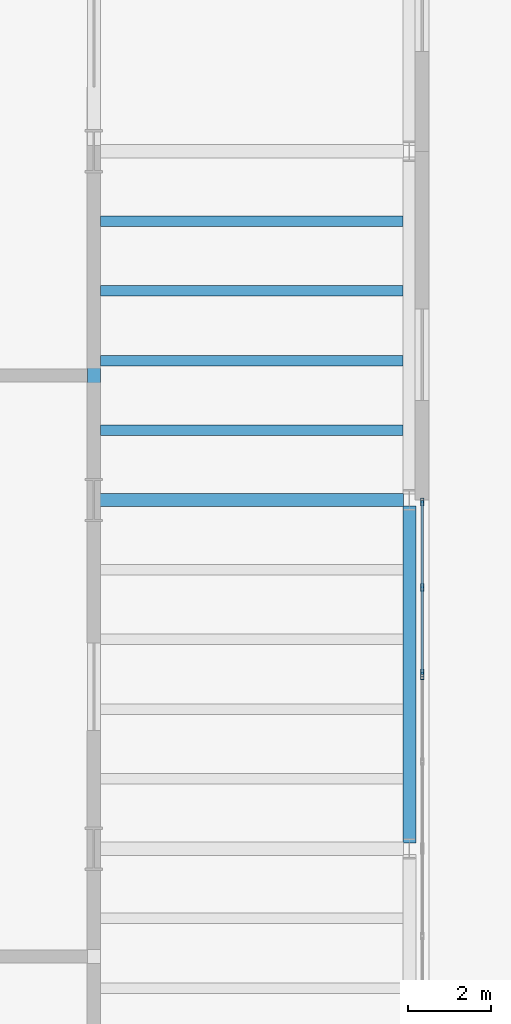
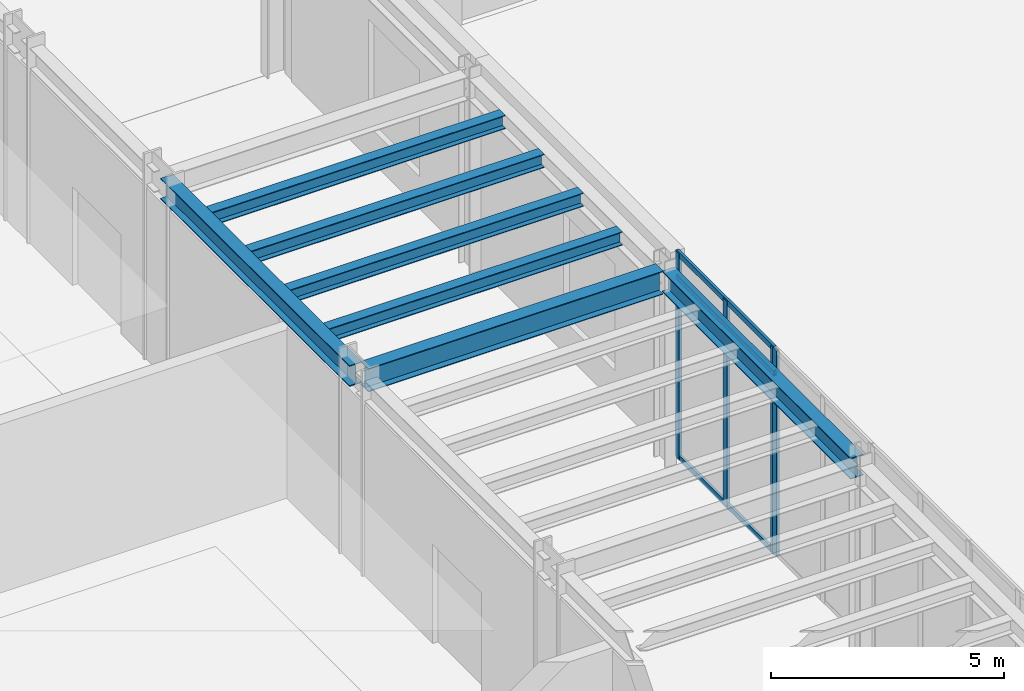
# One storey, part 22 of 94: 7 beams, 7 members, 2 elements without a shape of their own.
"""IFC4 building model written with IfcOpenShell, lengths in metres."""

from ifc_helpers import new_model, si_unit, direction, frame, origin, origin_2d, place, context, subcontext, project, spatial, hollow_rectangle, i_section, extrude, material, layer, layer_set, material_profile, profile_set, type_object, element, aggregate, save


model = new_model("IFC4")

# Units and contexts
model_context = context("Model", 3, precision=1e-05, world=origin(), true_north=direction((0.0, 1.0)))
body_context = subcontext(model_context, "Body", "Model", "MODEL_VIEW")
ifc_project = project(units=[si_unit("LENGTHUNIT", "METRE"), si_unit("AREAUNIT", "SQUARE_METRE"), si_unit("VOLUMEUNIT", "CUBIC_METRE"), si_unit("PLANEANGLEUNIT", "RADIAN"), si_unit("MASSUNIT", "GRAM", prefix="KILO")], contexts=[model_context])

# Site, building, storey
site_placement = place(None, origin())
site = spatial("IfcSite", under=ifc_project, at=site_placement, CompositionType="ELEMENT")
building_placement = place(site_placement, origin())
building = spatial("IfcBuilding", under=site, at=building_placement, Name="Sollismere Congress Hotel", CompositionType="ELEMENT")
storey_placement = place(building_placement, origin())
storey = spatial("IfcBuildingStorey", under=building, at=storey_placement, Name="L00", CompositionType="ELEMENT", Elevation=0.0)

# Beams
ifc_material_1 = material(Name="Steel ASTM A992 Grade 50", Category="steel")
ifc_material_profile_1 = material_profile(ifc_material_1, i_section(OverallWidth=0.31494140625, OverallDepth=0.551025390625, WebThickness=0.01513671875, FlangeThickness=0.0244140625, at=origin_2d()), Name="W21X122")
ifc_profile_set_1 = profile_set([ifc_material_profile_1], Name="Steel ASTM A992 Grade 50")
beam_type_1 = type_object("IfcBeamType", Name="BM-G21H", PredefinedType="BEAM", material=ifc_profile_set_1)
for number, where, z_axis, x_axis, name in (
    (1, (50.39990234375, 50.139892578125, 4.839599609375), (0.0, 1.0, 0.0), (-1.0, 0.0, 0.0), "Beam BM-L00-1242"),
    (2, (58.0, 41.739990234375, 4.839599609375), (0.0, 1.0, 0.0), (-1.0, 0.0, 0.0), "Beam BM-L00-1248"),
):
    element("IfcBeam", number, at=place(storey_placement, frame(where, z_axis=z_axis, x_axis=x_axis)), inside=storey, type_object=beam_type_1, Name=name, PredefinedType="BEAM", context=body_context, shape_type="SweptSolid", body=[
        extrude(i_section(OverallWidth=0.31494140625, OverallDepth=0.551025390625, WebThickness=0.01513671875, FlangeThickness=0.0244140625, at=origin_2d()), origin(), (0.0, 0.0, 1.0), 8.1201171875),
    ])
ifc_material_profile_2 = material_profile(ifc_material_1, i_section(OverallWidth=0.324951171875, OverallDepth=0.612060546875, WebThickness=0.0126953125, FlangeThickness=0.01904296875, at=origin_2d()), Name="W24X104")
ifc_profile_set_2 = profile_set([ifc_material_profile_2], Name="Steel ASTM A992 Grade 50")
beam_type_2 = type_object("IfcBeamType", Name="BM-G24", PredefinedType="BEAM", material=ifc_profile_set_2)
beam_placement = place(storey_placement, frame((50.5400390625, 50.0, 4.80908203125), z_axis=(1.0, 0.0, 0.0), x_axis=(0.0, 1.0, 0.0)))
element("IfcBeam", 3, at=beam_placement, inside=storey, type_object=beam_type_2, Name="Beam BM-L00-1179", PredefinedType="BEAM", context=body_context, shape_type="SweptSolid", body=[
    extrude(i_section(OverallWidth=0.324951171875, OverallDepth=0.612060546875, WebThickness=0.0126953125, FlangeThickness=0.01904296875, at=origin_2d()), origin(), (0.0, 0.0, 1.0), 7.320068359375),
])
ifc_material_profile_3 = material_profile(ifc_material_1, i_section(OverallWidth=0.25390625, OverallDepth=0.35595703125, WebThickness=0.010498046875, FlangeThickness=0.018310546875, at=origin_2d()), Name="W14X68")
ifc_profile_set_3 = profile_set([ifc_material_profile_3], Name="Steel ASTM A992 Grade 50")
beam_type_3 = type_object("IfcBeamType", Name="BM-J14", PredefinedType="JOIST", material=ifc_profile_set_3)
for number, where, z_axis, x_axis, name in (
    (4, (50.5576171875, 51.679931640625, 4.93701171875), (1.0, 0.0, 0.0), (0.0, 1.0, 0.0), "Beam BM-L00-1353"),
    (5, (50.5576171875, 53.360107421875, 4.93701171875), (1.0, 0.0, 0.0), (0.0, 1.0, 0.0), "Beam BM-L00-1354"),
    (6, (50.5576171875, 55.0400390625, 4.93701171875), (1.0, 0.0, 0.0), (0.0, 1.0, 0.0), "Beam BM-L00-1355"),
    (7, (50.5576171875, 56.719970703125, 4.93701171875), (1.0, 0.0, 0.0), (0.0, 1.0, 0.0), "Beam BM-L00-1356"),
):
    element("IfcBeam", number, at=place(storey_placement, frame(where, z_axis=z_axis, x_axis=x_axis)), inside=storey, type_object=beam_type_3, Name=name, PredefinedType="JOIST", context=body_context, shape_type="SweptSolid", body=[
        extrude(i_section(OverallWidth=0.25390625, OverallDepth=0.35595703125, WebThickness=0.010498046875, FlangeThickness=0.018310546875, at=origin_2d()), origin(), (0.0, 0.0, 1.0), 7.284912109375),
    ])

# Curtain wall, member
ifc_material_2 = material(Name="Anodized Bronze Curtain Wall & Low-E Triple Glazing", Category="glass")
ifc_layer = layer(ifc_material_2, 0.199951171875, Name="Anodized Bronze Curtain Wall & Low-E Triple Glazing")
ifc_layer_set = layer_set([ifc_layer], Name="Anodized Bronze Curtain Wall & Low-E Triple Glazing")
curtain_wall_type = type_object("IfcCurtainWallType", Name="CW-GLZ36", PredefinedType="USERDEFINED", material=ifc_layer_set)
curtain_wall_1_placement = place(storey_placement, origin())
curtain_wall_1 = element("IfcCurtainWall", 8, at=curtain_wall_1_placement, inside=storey, type_object=curtain_wall_type, Name="Unitised curtain wall CW-L00-125", ObjectType="UNITISED CURTAIN WALL", PredefinedType="USERDEFINED")
ifc_material_3 = material(Name="Anodized Aluminum 6063-T6", Category="aluminium")
ifc_material_profile_4 = material_profile(ifc_material_3, hollow_rectangle(XDim=0.074951171875, YDim=0.179931640625, WallThickness=0.0048828125, at=origin_2d()), Name="ALU180X75X5")
ifc_profile_set_4 = profile_set([ifc_material_profile_4], Name="Anodized Aluminum 6063-T6")
member_type_1 = type_object("IfcMemberType", Name="ML-CW180", PredefinedType="MULLION", material=ifc_profile_set_4)
member_1_placement = place(storey_placement, frame((58.31005859375, 45.761962890625, 0.0), z_axis=(0.0, 0.0, 1.0), x_axis=(-1.0, 0.0, 0.0)))
member_1 = element("IfcMember", 9, at=member_1_placement, type_object=member_type_1, Name="CWL-CW-L00-125-ML03", PredefinedType="MULLION", context=body_context, shape_type="SweptSolid", body=[
    extrude(hollow_rectangle(XDim=0.074951171875, YDim=0.179931640625, WallThickness=0.0048828125, at=origin_2d()), origin(), (0.0, 0.0, 1.0), 5.39990234375),
])
aggregate(curtain_wall_1, [member_1])

# Curtain wall, members
curtain_wall_2_placement = place(storey_placement, origin())
curtain_wall_2 = element("IfcCurtainWall", 10, at=curtain_wall_2_placement, inside=storey, type_object=curtain_wall_type, Name="Unitised curtain wall CW-L00-126", ObjectType="UNITISED CURTAIN WALL", PredefinedType="USERDEFINED")
member_2_placement = place(storey_placement, frame((58.31005859375, 45.837890625, 0.0), z_axis=(0.0, 0.0, 1.0), x_axis=(-1.0, 0.0, 0.0)))
member_2 = element("IfcMember", 11, at=member_2_placement, type_object=member_type_1, Name="CWL-CW-L00-126-ML01", PredefinedType="MULLION", context=body_context, shape_type="SweptSolid", body=[
    extrude(hollow_rectangle(XDim=0.074951171875, YDim=0.179931640625, WallThickness=0.0048828125, at=origin_2d()), origin(), (0.0, 0.0, 1.0), 5.39990234375),
])
member_3_placement = place(storey_placement, frame((58.31005859375, 47.89501953125, 0.0), z_axis=(0.0, 0.0, 1.0), x_axis=(-1.0, 0.0, 0.0)))
member_3 = element("IfcMember", 12, at=member_3_placement, type_object=member_type_1, Name="CWL-CW-L00-126-ML02", PredefinedType="MULLION", context=body_context, shape_type="SweptSolid", body=[
    extrude(hollow_rectangle(XDim=0.074951171875, YDim=0.179931640625, WallThickness=0.0048828125, at=origin_2d()), origin(), (0.0, 0.0, 1.0), 5.39990234375),
])
member_4_placement = place(storey_placement, frame((58.31005859375, 49.951904296875, 0.0), z_axis=(0.0, 0.0, 1.0), x_axis=(-1.0, 0.0, 0.0)))
member_4 = element("IfcMember", 13, at=member_4_placement, type_object=member_type_1, Name="CWL-CW-L00-126-ML03", PredefinedType="MULLION", context=body_context, shape_type="SweptSolid", body=[
    extrude(hollow_rectangle(XDim=0.074951171875, YDim=0.179931640625, WallThickness=0.0048828125, at=origin_2d()), origin(), (0.0, 0.0, 1.0), 5.39990234375),
])
ifc_material_profile_5 = material_profile(ifc_material_3, hollow_rectangle(XDim=0.06494140625, YDim=0.139892578125, WallThickness=0.00390625, at=origin_2d()), Name="ALU140X65X4")
ifc_profile_set_5 = profile_set([ifc_material_profile_5], Name="Anodized Aluminum 6063-T6")
member_type_2 = type_object("IfcMemberType", Name="TR-CW150", PredefinedType="MEMBER", material=ifc_profile_set_5)
member_5_placement = place(storey_placement, frame((58.31005859375, 45.800048828125, 0.032470703125), z_axis=(0.0, 1.0, 0.0), x_axis=(-1.0, 0.0, 0.0)))
member_5 = element("IfcMember", 14, at=member_5_placement, type_object=member_type_2, Name="CWL-CW-L00-126-TR1", PredefinedType="MEMBER", context=body_context, shape_type="SweptSolid", body=[
    extrude(hollow_rectangle(XDim=0.06494140625, YDim=0.139892578125, WallThickness=0.00390625, at=origin_2d()), origin(), (0.0, 0.0, 1.0), 4.18994140625),
])
member_6_placement = place(storey_placement, frame((58.31005859375, 45.800048828125, 4.719970703125), z_axis=(0.0, 1.0, 0.0), x_axis=(-1.0, 0.0, 0.0)))
member_6 = element("IfcMember", 15, at=member_6_placement, type_object=member_type_2, Name="CWL-CW-L00-126-TR2", PredefinedType="MEMBER", context=body_context, shape_type="SweptSolid", body=[
    extrude(hollow_rectangle(XDim=0.06494140625, YDim=0.139892578125, WallThickness=0.00390625, at=origin_2d()), origin(), (0.0, 0.0, 1.0), 4.18994140625),
])
member_7_placement = place(storey_placement, frame((58.31005859375, 45.800048828125, 5.367431640625), z_axis=(0.0, 1.0, 0.0), x_axis=(-1.0, 0.0, 0.0)))
member_7 = element("IfcMember", 16, at=member_7_placement, type_object=member_type_2, Name="CWL-CW-L00-126-TR3", PredefinedType="MEMBER", context=body_context, shape_type="SweptSolid", body=[
    extrude(hollow_rectangle(XDim=0.06494140625, YDim=0.139892578125, WallThickness=0.00390625, at=origin_2d()), origin(), (0.0, 0.0, 1.0), 4.18994140625),
])
aggregate(curtain_wall_2, [member_2, member_3, member_4, member_5, member_6, member_7])

save(model, "model.ifc")
